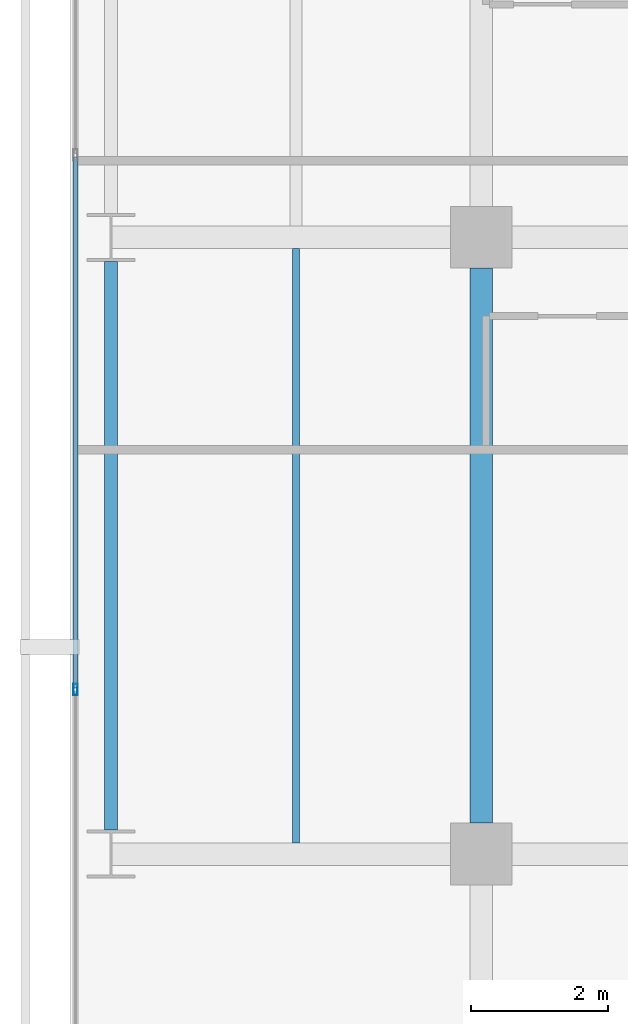
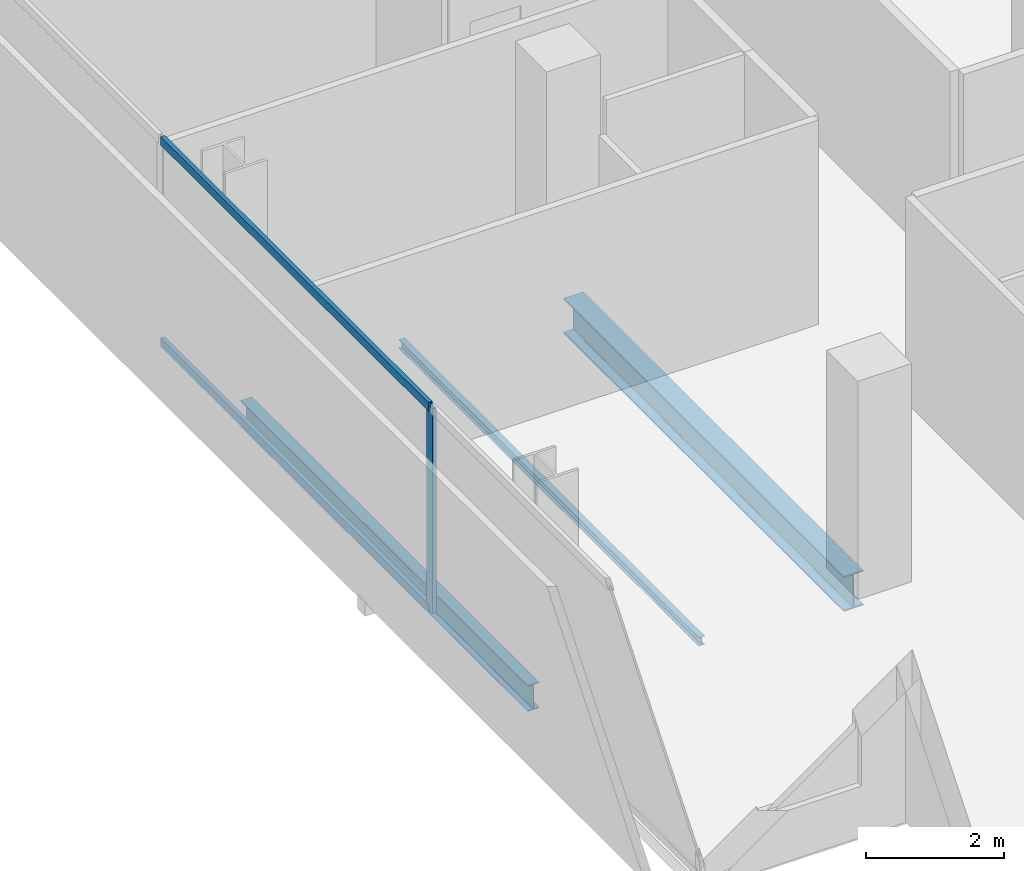
# One storey, part 5 of 40: 3 beams, 3 members, 1 element without a shape of its own.
"""IFC4 building model written with IfcOpenShell, lengths in metres."""

from ifc_helpers import new_model, si_unit, direction, frame, origin, origin_2d, place, context, subcontext, project, spatial, hollow_rectangle, i_section, extrude, material, layer, layer_set, material_profile, profile_set, type_object, element, aggregate, save


model = new_model("IFC4")

# Units and contexts
model_context = context("Model", 3, precision=1e-05, world=origin(), true_north=direction((0.0, 1.0)))
body_context = subcontext(model_context, "Body", "Model", "MODEL_VIEW")
ifc_project = project(units=[si_unit("LENGTHUNIT", "METRE"), si_unit("AREAUNIT", "SQUARE_METRE"), si_unit("VOLUMEUNIT", "CUBIC_METRE"), si_unit("PLANEANGLEUNIT", "RADIAN"), si_unit("MASSUNIT", "GRAM", prefix="KILO")], contexts=[model_context])

# Site, building, storey
site_placement = place(None, origin())
site = spatial("IfcSite", under=ifc_project, at=site_placement, CompositionType="ELEMENT")
building_placement = place(site_placement, origin())
building = spatial("IfcBuilding", under=site, at=building_placement, Name="Maruvema Waterfront Hotel and Observation Tower", CompositionType="ELEMENT")
storey_placement = place(building_placement, frame((0.0, 0.0, 38.5)))
storey = spatial("IfcBuildingStorey", under=building, at=storey_placement, Name="L08", CompositionType="ELEMENT", Elevation=38.5)

# Curtain wall, members
ifc_material_1 = material(Name="Anodised bronze aluminium and solar-control low-E IGU", Category="aluminium")
ifc_layer = layer(ifc_material_1, 0.159912109375, Name="Zone 1 Bronze Inner Thermal Curtain Wall System CW-02")
ifc_layer_set = layer_set([ifc_layer], Name="Anodised bronze aluminium and solar-control low-E IGU")
curtain_wall_type = type_object("IfcCurtainWallType", Name="Zone 1 Bronze Inner Thermal Curtain Wall System CW-02", PredefinedType="USERDEFINED", material=ifc_layer_set)
curtain_wall_placement = place(storey_placement, origin())
curtain_wall = element("IfcCurtainWall", 1, at=curtain_wall_placement, inside=storey, type_object=curtain_wall_type, Name="L08 Curtain Wall CW-L08-W", ObjectType="UNITISED CURTAIN WALL", PredefinedType="USERDEFINED")
ifc_material_2 = material(Name="Anodised architectural bronze aluminium", Category="aluminium")
ifc_material_profile_1 = material_profile(ifc_material_2, hollow_rectangle(XDim=0.070068359375, YDim=0.14990234375, WallThickness=0.00390625, at=origin_2d()), Name="ALU-T70x150")
ifc_profile_set_1 = profile_set([ifc_material_profile_1], Name="Anodised architectural bronze aluminium")
member_type_1 = type_object("IfcMemberType", Name="Curtain Wall Horizontal Transom ALU-T70x150", PredefinedType="USERDEFINED", material=ifc_profile_set_1)
member_1_placement = place(storey_placement, frame((10.8798828125, 19.169921875, 0.030029296875), z_axis=(0.0, -1.0, 0.0), x_axis=(1.0, 0.0, 0.0)))
member_1 = element("IfcMember", 2, at=member_1_placement, type_object=member_type_1, Name="CW-02 transom 5.1", ObjectType="TRANSOM", PredefinedType="USERDEFINED", context=body_context, shape_type="SweptSolid", body=[
    extrude(hollow_rectangle(XDim=0.070068359375, YDim=0.14990234375, WallThickness=0.00390625, at=origin_2d()), origin(), (0.0, 0.0, 1.0), 7.739990234375),
])
member_2_placement = place(storey_placement, frame((10.8798828125, 19.169921875, 3.580078125), z_axis=(0.0, -1.0, 0.0), x_axis=(1.0, 0.0, 0.0)))
member_2 = element("IfcMember", 3, at=member_2_placement, type_object=member_type_1, Name="CW-02 transom 5.2", ObjectType="TRANSOM", PredefinedType="USERDEFINED", context=body_context, shape_type="SweptSolid", body=[
    extrude(hollow_rectangle(XDim=0.070068359375, YDim=0.14990234375, WallThickness=0.00390625, at=origin_2d()), origin(), (0.0, 0.0, 1.0), 7.739990234375),
])
ifc_material_3 = material(Name="Anodised architectural bronze aluminium", Category="aluminium")
ifc_material_profile_2 = material_profile(ifc_material_3, hollow_rectangle(XDim=0.06494140625, YDim=0.1650390625, WallThickness=0.00390625, at=origin_2d()), Name="ALU-M65x165")
ifc_profile_set_2 = profile_set([ifc_material_profile_2], Name="Anodised architectural bronze aluminium")
member_type_2 = type_object("IfcMemberType", Name="Curtain Wall Primary Mullion ALU-M65x165", PredefinedType="MULLION", material=ifc_profile_set_2)
member_3_placement = place(storey_placement, frame((10.8798828125, 11.39990234375, 0.0), z_axis=(0.0, 0.0, 1.0), x_axis=(1.0, 0.0, 0.0)))
member_3 = element("IfcMember", 4, at=member_3_placement, type_object=member_type_2, Name="CW-02 mullion 6", PredefinedType="MULLION", context=body_context, shape_type="SweptSolid", body=[
    extrude(hollow_rectangle(XDim=0.06494140625, YDim=0.1650390625, WallThickness=0.00390625, at=origin_2d()), origin(), (0.0, 0.0, 1.0), 3.610107421875),
])
aggregate(curtain_wall, [member_3, member_1, member_2])

# Beams
ifc_material_4 = material(Name="Steel ASTM A572 Grade 50", Category="steel")
ifc_material_profile_3 = material_profile(ifc_material_4, i_section(OverallWidth=0.18994140625, OverallDepth=0.45703125, WebThickness=0.009033203125, FlangeThickness=0.014404296875, FilletRadius=0.014892578125, at=origin_2d()), Name="W460x74.0")
ifc_profile_set_3 = profile_set([ifc_material_profile_3], Name="Steel ASTM A572 Grade 50")
beam_type_1 = type_object("IfcBeamType", Name="Perimeter Spandrel Beam W460x74.0", PredefinedType="SPANDREL", material=ifc_profile_set_3)
beam_1_placement = place(storey_placement, frame((11.39990234375, 9.35009765625, -0.468505859375), z_axis=(0.0, 1.0, 0.0), x_axis=(-1.0, 0.0, 0.0)))
element("IfcBeam", 5, at=beam_1_placement, inside=storey, type_object=beam_type_1, Name="L08 Floor Girder NS-01", PredefinedType="SPANDREL", context=body_context, shape_type="SweptSolid", body=[
    extrude(i_section(OverallWidth=0.18994140625, OverallDepth=0.45703125, WebThickness=0.009033203125, FlangeThickness=0.014404296875, FilletRadius=0.014892578125, at=origin_2d()), origin(), (0.0, 0.0, 1.0), 8.2998046875),
])
ifc_material_5 = material(Name="Steel ASTM A572 Grade 50", Category="steel")
ifc_material_profile_4 = material_profile(ifc_material_5, i_section(OverallWidth=0.326904296875, OverallDepth=0.6220703125, WebThickness=0.015380859375, FlangeThickness=0.0244140625, FilletRadius=0.01806640625, at=origin_2d()), Name="W610x195.0")
ifc_profile_set_4 = profile_set([ifc_material_profile_4], Name="Steel ASTM A572 Grade 50")
beam_type_2 = type_object("IfcBeamType", Name="Primary Floor Girder W610x195.0", PredefinedType="BEAM", material=ifc_profile_set_4)
beam_2_placement = place(storey_placement, frame((16.800048828125, 9.449951171875, -0.551025390625), z_axis=(0.0, 1.0, 0.0), x_axis=(-1.0, 0.0, 0.0)))
element("IfcBeam", 6, at=beam_2_placement, inside=storey, type_object=beam_type_2, Name="L08 Floor Girder NS-06", PredefinedType="BEAM", context=body_context, shape_type="SweptSolid", body=[
    extrude(i_section(OverallWidth=0.326904296875, OverallDepth=0.6220703125, WebThickness=0.015380859375, FlangeThickness=0.0244140625, FilletRadius=0.01806640625, at=origin_2d()), origin(), (0.0, 0.0, 1.0), 8.10009765625),
])
ifc_material_6 = material(Name="Steel ASTM A572 Grade 50", Category="steel")
ifc_material_profile_5 = material_profile(ifc_material_6, i_section(OverallWidth=0.10009765625, OverallDepth=0.153076171875, WebThickness=0.005859375, FlangeThickness=0.007080078125, FilletRadius=0.008056640625, at=origin_2d()), Name="W150x18.0")
ifc_profile_set_5 = profile_set([ifc_material_profile_5], Name="Steel ASTM A572 Grade 50")
beam_type_3 = type_object("IfcBeamType", Name="Secondary Floor Joist W150x18.0", PredefinedType="JOIST", material=ifc_profile_set_5)
beam_3_placement = place(storey_placement, frame((14.10009765625, 9.16357421875, -0.31640625), z_axis=(0.0, 1.0, 0.0), x_axis=(-1.0, 0.0, 0.0)))
element("IfcBeam", 7, at=beam_3_placement, inside=storey, type_object=beam_type_3, Name="L08 Secondary Floor Joist JS-01", PredefinedType="JOIST", context=body_context, shape_type="SweptSolid", body=[
    extrude(i_section(OverallWidth=0.10009765625, OverallDepth=0.153076171875, WebThickness=0.005859375, FlangeThickness=0.007080078125, FilletRadius=0.008056640625, at=origin_2d()), origin(), (0.0, 0.0, 1.0), 8.6728515625),
])

save(model, "model.ifc")
